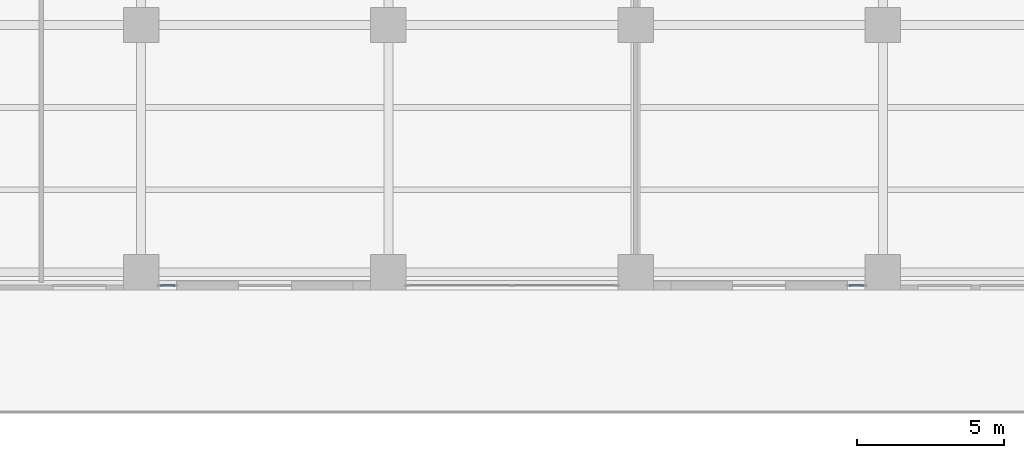
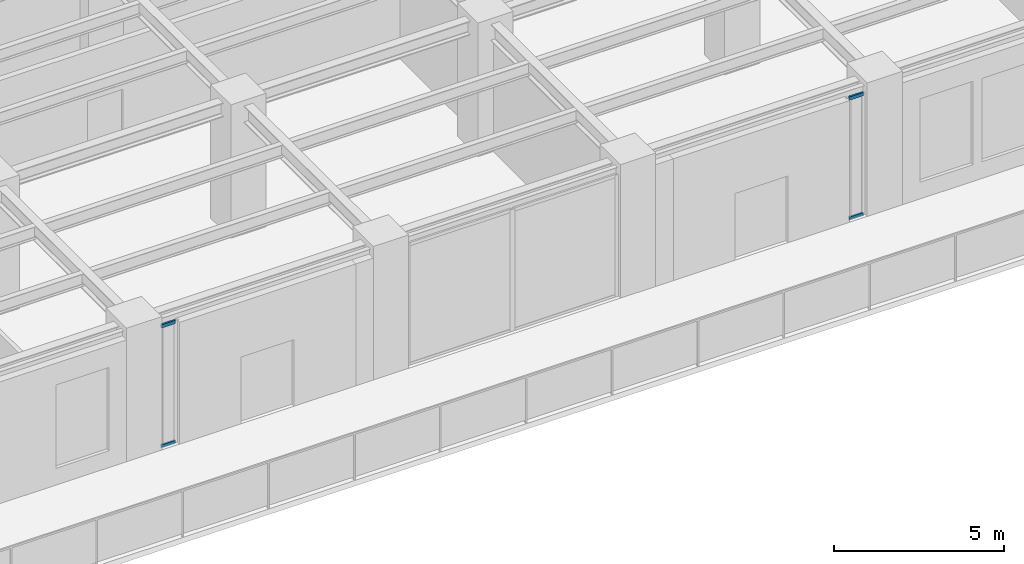
# One storey, part 17 of 53: 4 members, 2 elements without a shape of their own.
"""IFC4 building model written with IfcOpenShell, lengths in metres."""

from ifc_helpers import new_model, si_unit, direction, frame, origin, origin_2d, place, context, subcontext, project, spatial, rectangle, extrude, material, material_profile, profile_set, type_object, element, aggregate, save


model = new_model("IFC4")

# Units and contexts
model_context = context("Model", 3, precision=1e-05, world=origin(), true_north=direction((0.0, 1.0)))
body_context = subcontext(model_context, "Body", "Model", "MODEL_VIEW")
ifc_project = project(units=[si_unit("LENGTHUNIT", "METRE"), si_unit("AREAUNIT", "SQUARE_METRE"), si_unit("VOLUMEUNIT", "CUBIC_METRE"), si_unit("PLANEANGLEUNIT", "RADIAN"), si_unit("MASSUNIT", "GRAM", prefix="KILO")], contexts=[model_context])

# Site, building, storey
site_placement = place(None, origin())
site = spatial("IfcSite", under=ifc_project, at=site_placement, CompositionType="ELEMENT")
building_placement = place(site_placement, origin())
building = spatial("IfcBuilding", under=site, at=building_placement, Name="Khepri Terraces", CompositionType="ELEMENT")
storey_placement = place(building_placement, frame((0.0, 0.0, 7.199951171875)))
storey = spatial("IfcBuildingStorey", under=building, at=storey_placement, Name="L01", CompositionType="ELEMENT", Elevation=7.199951171875)

# Curtain wall, members
ifc_material_1 = material(Name="Anodised aluminium bronze curtain wall", Category="aluminium")
curtain_wall_type = type_object("IfcCurtainWallType", Name="CW-SYS2-PODIUM", PredefinedType="NOTDEFINED", material=ifc_material_1)
curtain_wall_1_placement = place(storey_placement, origin())
curtain_wall_1 = element("IfcCurtainWall", 1, at=curtain_wall_1_placement, inside=storey, type_object=curtain_wall_type, Name="Curtain wall CW2 L01 S", PredefinedType="NOTDEFINED")
ifc_material_2 = material(Name="Anodised aluminium bronze", Category="aluminium")
ifc_material_profile = material_profile(ifc_material_2, rectangle(XDim=0.06005859375, YDim=0.1201171875, at=origin_2d()), Name="Anodised aluminium bronze", Category="aluminium")
ifc_profile_set = profile_set([ifc_material_profile], Name="Anodised aluminium bronze")
member_type = type_object("IfcMemberType", Name="CW-TRANSOM-60x120", PredefinedType="USERDEFINED", material=ifc_profile_set)
member_1_placement = place(storey_placement, frame((-24.5400390625, -42.449951171875, 0.030029296875), z_axis=(1.0, 0.0, 0.0), x_axis=(0.0, 1.0, 0.0)))
member_1 = element("IfcMember", 2, at=member_1_placement, type_object=member_type, Name="CW2 transom 1.1", ObjectType="TRANSOM", PredefinedType="USERDEFINED", context=body_context, shape_type="SweptSolid", body=[
    extrude(rectangle(XDim=0.06005859375, YDim=0.1201171875, at=origin_2d()), origin(), (0.0, 0.0, 1.0), 0.47998046875),
])
member_2_placement = place(storey_placement, frame((-24.5400390625, -42.449951171875, 4.35009765625), z_axis=(1.0, 0.0, 0.0), x_axis=(0.0, 1.0, 0.0)))
member_2 = element("IfcMember", 3, at=member_2_placement, type_object=member_type, Name="CW2 transom 1.2", ObjectType="TRANSOM", PredefinedType="USERDEFINED", context=body_context, shape_type="SweptSolid", body=[
    extrude(rectangle(XDim=0.06005859375, YDim=0.1201171875, at=origin_2d()), origin(), (0.0, 0.0, 1.0), 0.47998046875),
])
aggregate(curtain_wall_1, [member_1, member_2])

curtain_wall_2_placement = place(storey_placement, origin())
curtain_wall_2 = element("IfcCurtainWall", 4, at=curtain_wall_2_placement, inside=storey, type_object=curtain_wall_type, Name="Curtain wall CW2 L01 S", PredefinedType="NOTDEFINED")
member_3_placement = place(storey_placement, frame((-1.139892578125, -42.449951171875, 0.030029296875), z_axis=(1.0, 0.0, 0.0), x_axis=(0.0, 1.0, 0.0)))
member_3 = element("IfcMember", 5, at=member_3_placement, type_object=member_type, Name="CW2 transom 1.1", ObjectType="TRANSOM", PredefinedType="USERDEFINED", context=body_context, shape_type="SweptSolid", body=[
    extrude(rectangle(XDim=0.06005859375, YDim=0.1201171875, at=origin_2d()), origin(), (0.0, 0.0, 1.0), 0.47998046875),
])
member_4_placement = place(storey_placement, frame((-1.139892578125, -42.449951171875, 4.35009765625), z_axis=(1.0, 0.0, 0.0), x_axis=(0.0, 1.0, 0.0)))
member_4 = element("IfcMember", 6, at=member_4_placement, type_object=member_type, Name="CW2 transom 1.2", ObjectType="TRANSOM", PredefinedType="USERDEFINED", context=body_context, shape_type="SweptSolid", body=[
    extrude(rectangle(XDim=0.06005859375, YDim=0.1201171875, at=origin_2d()), origin(), (0.0, 0.0, 1.0), 0.47998046875),
])
aggregate(curtain_wall_2, [member_3, member_4])

save(model, "model.ifc")
